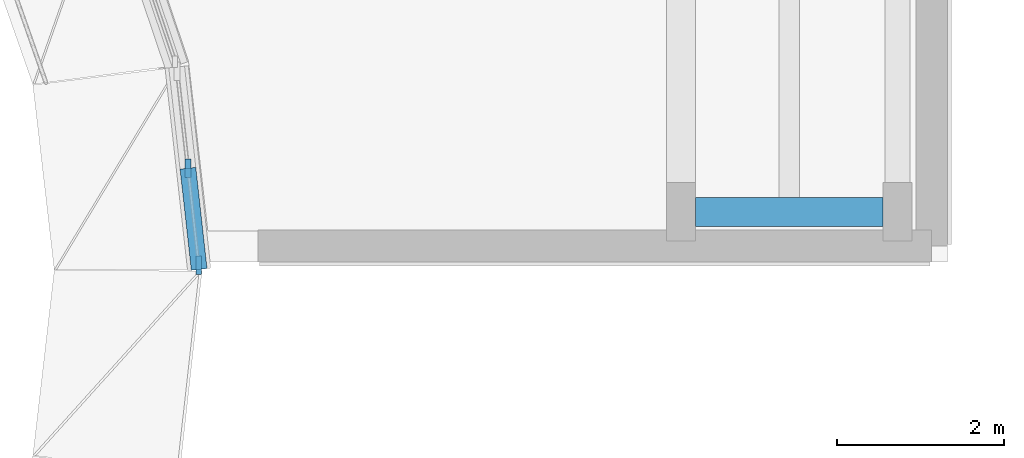
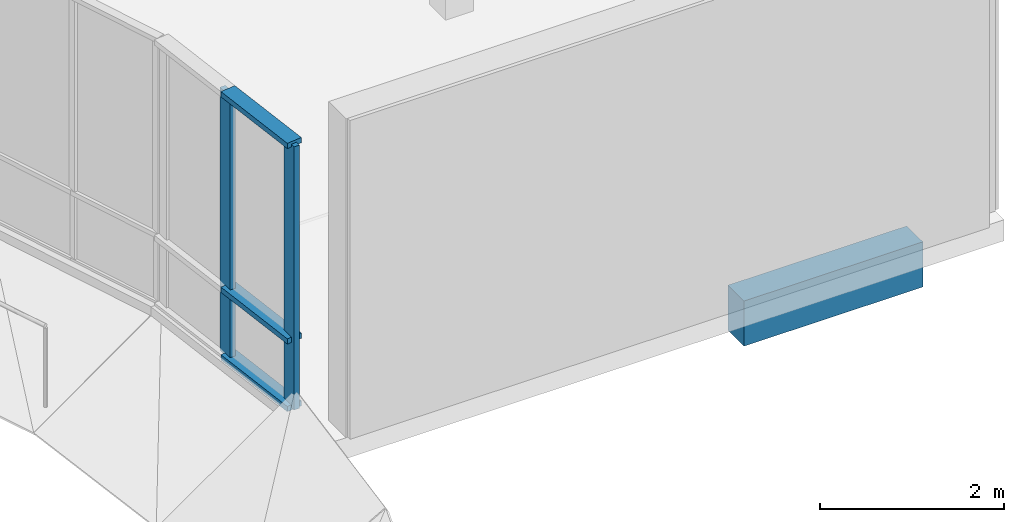
# One storey, part 7 of 41: 5 members, 1 beam, 1 element without a shape of its own.
"""IFC4 building model written with IfcOpenShell, lengths in metres."""

from ifc_helpers import new_model, si_unit, direction, frame, origin, origin_2d, place, context, subcontext, project, spatial, rectangle, extrude, material, material_profile, profile_set, type_object, element, aggregate, save


model = new_model("IFC4")

# Units and contexts
model_context = context("Model", 3, precision=1e-05, world=origin(), true_north=direction((0.0, 1.0)))
body_context = subcontext(model_context, "Body", "Model", "MODEL_VIEW")
ifc_project = project(units=[si_unit("LENGTHUNIT", "METRE"), si_unit("AREAUNIT", "SQUARE_METRE"), si_unit("VOLUMEUNIT", "CUBIC_METRE"), si_unit("PLANEANGLEUNIT", "RADIAN"), si_unit("MASSUNIT", "GRAM", prefix="KILO")], contexts=[model_context])

# Site, building, storey
site_placement = place(None, origin())
site = spatial("IfcSite", under=ifc_project, at=site_placement, CompositionType="ELEMENT")
building_placement = place(site_placement, origin())
building = spatial("IfcBuilding", under=site, at=building_placement, Name="Mzevani Central Library", CompositionType="ELEMENT")
storey_placement = place(building_placement, frame((0.0, 0.0, 13.800048828125)))
storey = spatial("IfcBuildingStorey", under=building, at=storey_placement, Name="L03", CompositionType="ELEMENT", Elevation=13.800048828125)

# Beam
ifc_material_1 = material(Name="Concrete C35/45", Category="concrete")
ifc_material_profile_1 = material_profile(ifc_material_1, rectangle(XDim=0.35009765625, YDim=0.60009765625, at=origin_2d()), Name="RC B350x600")
ifc_profile_set_1 = profile_set([ifc_material_profile_1], Name="Concrete C35/45")
beam_type = type_object("IfcBeamType", Name="Beam RC 350x600", PredefinedType="BEAM", material=ifc_profile_set_1)
beam_placement = place(storey_placement, frame((121.77490234375, 76.699951171875, -0.580078125), z_axis=(1.0, 0.0, 0.0), x_axis=(0.0, 1.0, 0.0)))
element("IfcBeam", 1, at=beam_placement, inside=storey, type_object=beam_type, Name="L03 V3 Girder B-04 (631)", PredefinedType="BEAM", context=body_context, shape_type="SweptSolid", body=[
    extrude(rectangle(XDim=0.35009765625, YDim=0.60009765625, at=origin_2d()), origin(), (0.0, 0.0, 1.0), 2.25),
])

# Curtain wall, members
ifc_material_2 = material(Name="Thermally broken aluminium and Low-E triple glazing", Category="aluminium")
curtain_wall_type = type_object("IfcCurtainWallType", Name="Reading Hall Northlight Curtain Wall", PredefinedType="NOTDEFINED", material=ifc_material_2)
curtain_wall_placement = place(storey_placement, origin())
curtain_wall = element("IfcCurtainWall", 2, at=curtain_wall_placement, inside=storey, type_object=curtain_wall_type, Name="L03 Elliptical Court Curtain Wall 1", PredefinedType="NOTDEFINED")
ifc_material_3 = material(Name="Thermally broken aluminium AW-6060", Category="aluminium")
ifc_material_profile_2 = material_profile(ifc_material_3, rectangle(XDim=0.070068359375, YDim=0.219970703125, at=origin_2d()), Name="ALU M70x220")
ifc_profile_set_2 = profile_set([ifc_material_profile_2], Name="Thermally broken aluminium AW-6060")
member_type_1 = type_object("IfcMemberType", Name="CW Mullion 70x220", PredefinedType="MULLION", material=ifc_profile_set_2)
member_1_placement = place(storey_placement, frame((115.814208984375, 76.05810546875, 0.719970703125), z_axis=(0.0, 0.0, 1.0), x_axis=(1.0, 0.0, 0.0)))
member_1 = element("IfcMember", 3, at=member_1_placement, type_object=member_type_1, Name="L03 Elliptical Court Curtain Wall 1 Mullion 1", PredefinedType="MULLION", context=body_context, shape_type="SweptSolid", body=[
    extrude(rectangle(XDim=0.070068359375, YDim=0.219970703125, at=origin_2d()), origin(), (0.0, 0.0, 1.0), 3.5),
])
member_2_placement = place(storey_placement, frame((115.6845703125, 77.22314453125, 0.719970703125), z_axis=(0.0, 0.0, 1.0), x_axis=(1.0, 0.0, 0.0)))
member_2 = element("IfcMember", 4, at=member_2_placement, type_object=member_type_1, Name="L03 Elliptical Court Curtain Wall 1 Mullion 2", PredefinedType="MULLION", context=body_context, shape_type="SweptSolid", body=[
    extrude(rectangle(XDim=0.070068359375, YDim=0.219970703125, at=origin_2d()), origin(), (0.0, 0.0, 1.0), 3.5),
])
ifc_material_profile_3 = material_profile(ifc_material_3, rectangle(XDim=0.18994140625, YDim=0.070068359375, at=origin_2d()), Name="ALU T70x190")
ifc_profile_set_3 = profile_set([ifc_material_profile_3], Name="Thermally broken aluminium AW-6060")
member_type_2 = type_object("IfcMemberType", Name="CW Transom 70x190", PredefinedType="USERDEFINED", material=ifc_profile_set_3)
member_3_placement = place(storey_placement, frame((115.81982421875, 76.008544921875, 0.719970703125), z_axis=(-0.110672708836, 0.993856906963, 0.0), x_axis=(-0.993856906963, -0.110672708836, 0.0)))
member_3 = element("IfcMember", 5, at=member_3_placement, type_object=member_type_2, Name="L03 Elliptical Court Curtain Wall 1 Transom 1", ObjectType="TRANSOM", PredefinedType="USERDEFINED", context=body_context, shape_type="SweptSolid", body=[
    extrude(rectangle(XDim=0.18994140625, YDim=0.070068359375, at=origin_2d()), origin(), (0.0, 0.0, 1.0), 1.22216796875),
])
member_4_placement = place(storey_placement, frame((115.81982421875, 76.008544921875, 1.619873046875), z_axis=(-0.110672708836, 0.993856906963, 0.0), x_axis=(-0.993856906963, -0.110672708836, 0.0)))
member_4 = element("IfcMember", 6, at=member_4_placement, type_object=member_type_2, Name="L03 Elliptical Court Curtain Wall 1 Transom 2", ObjectType="TRANSOM", PredefinedType="USERDEFINED", context=body_context, shape_type="SweptSolid", body=[
    extrude(rectangle(XDim=0.18994140625, YDim=0.070068359375, at=origin_2d()), origin(), (0.0, 0.0, 1.0), 1.22216796875),
])
member_5_placement = place(storey_placement, frame((115.81982421875, 76.008544921875, 4.219970703125), z_axis=(-0.110672708836, 0.993856906963, 0.0), x_axis=(-0.993856906963, -0.110672708836, 0.0)))
member_5 = element("IfcMember", 7, at=member_5_placement, type_object=member_type_2, Name="L03 Elliptical Court Curtain Wall 1 Transom 3", ObjectType="TRANSOM", PredefinedType="USERDEFINED", context=body_context, shape_type="SweptSolid", body=[
    extrude(rectangle(XDim=0.18994140625, YDim=0.070068359375, at=origin_2d()), origin(), (0.0, 0.0, 1.0), 1.22216796875),
])
aggregate(curtain_wall, [member_1, member_2, member_3, member_4, member_5])

save(model, "model.ifc")
